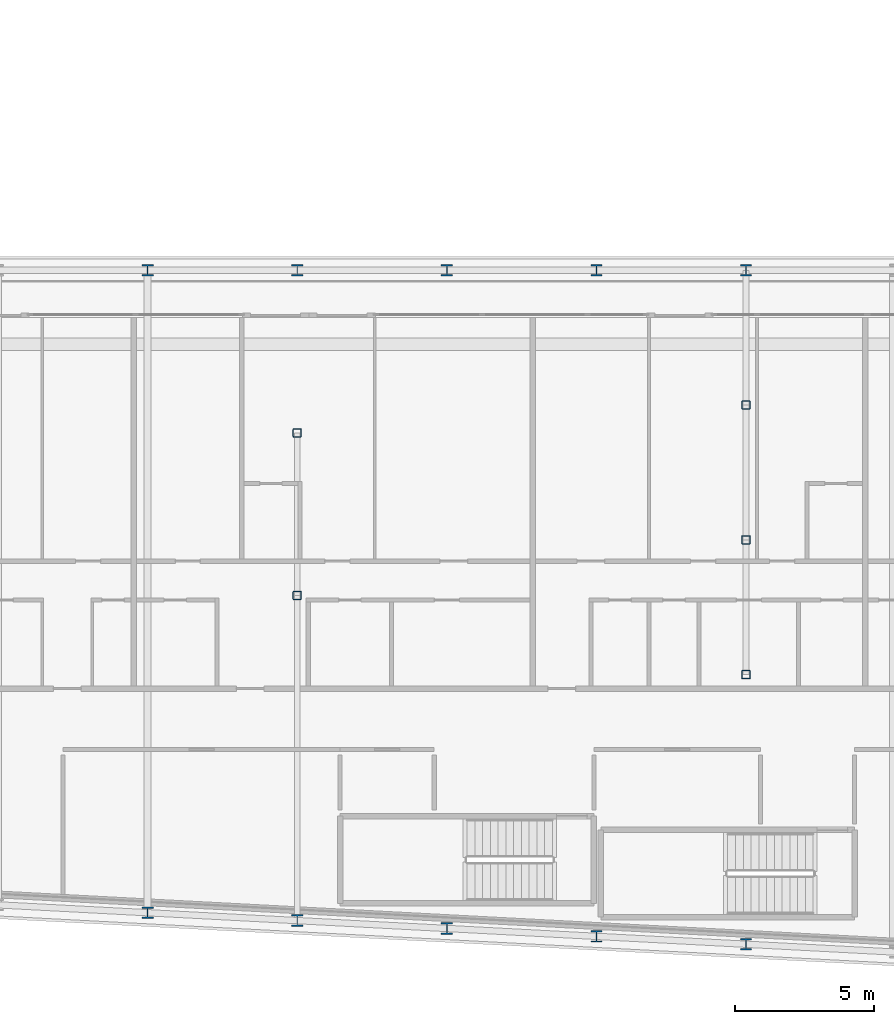
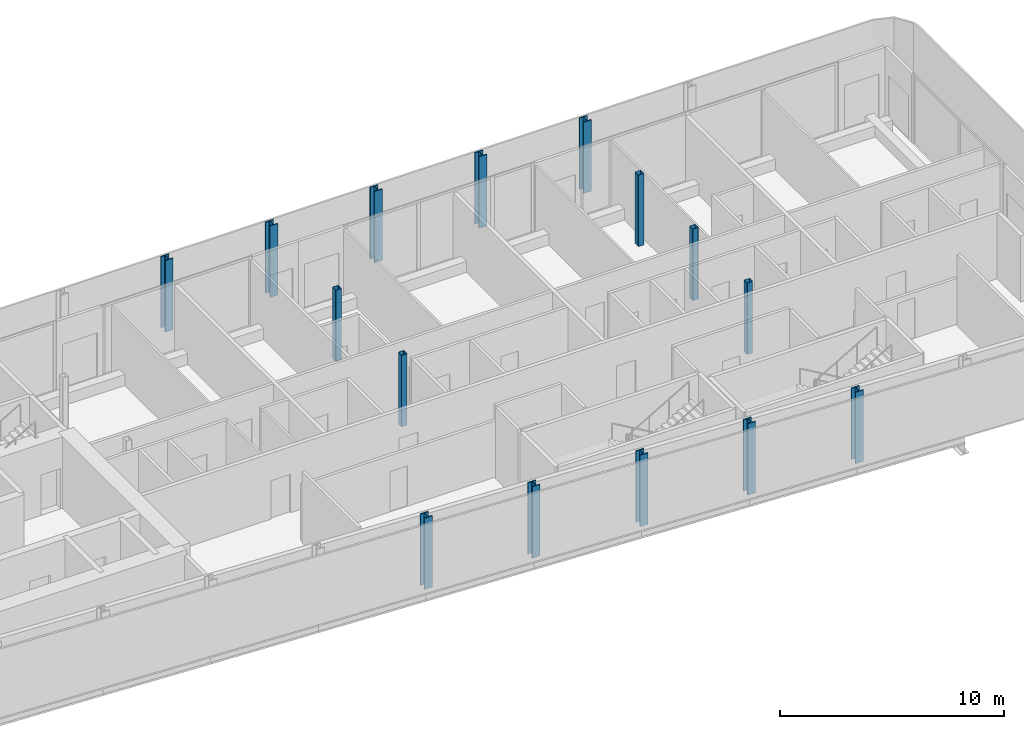
# One storey, part 2 of 29: 15 columns.
"""IFC4 building model written with IfcOpenShell, lengths in metres."""

from ifc_helpers import new_model, si_unit, direction, frame, origin, origin_2d, place, context, subcontext, project, spatial, hollow_rectangle, i_section, extrude, material, material_profile, profile_set, type_object, element, save


model = new_model("IFC4")

# Units and contexts
model_context = context("Model", 3, precision=1e-05, world=origin(), true_north=direction((0.0, 1.0)))
body_context = subcontext(model_context, "Body", "Model", "MODEL_VIEW")
ifc_project = project(units=[si_unit("LENGTHUNIT", "METRE"), si_unit("AREAUNIT", "SQUARE_METRE"), si_unit("VOLUMEUNIT", "CUBIC_METRE"), si_unit("PLANEANGLEUNIT", "RADIAN"), si_unit("MASSUNIT", "GRAM", prefix="KILO")], contexts=[model_context])

# Site, building, storey
site_placement = place(None, origin())
site = spatial("IfcSite", under=ifc_project, at=site_placement, CompositionType="ELEMENT")
building_placement = place(site_placement, origin())
building = spatial("IfcBuilding", under=site, at=building_placement, Name="Kheshtan School and Residences Tower", CompositionType="ELEMENT")
storey_placement = place(building_placement, frame((0.0, 0.0, 176.0)))
storey = spatial("IfcBuildingStorey", under=building, at=storey_placement, Name="L41", CompositionType="ELEMENT", Elevation=176.0)

# Columns
ifc_material_1 = material(Name="Steel ASTM A992 Grade 50", Category="steel")
ifc_material_profile_1 = material_profile(ifc_material_1, i_section(OverallWidth=0.408935546875, OverallDepth=0.425048828125, WebThickness=0.03271484375, FlangeThickness=0.052490234375, FilletRadius=0.0126953125, at=origin_2d()), Name="W360x421")
ifc_profile_set_1 = profile_set([ifc_material_profile_1], Name="Steel ASTM A992 Grade 50")
column_type_1 = type_object("IfcColumnType", Name="Column C3 W360x421 ASTM A992 Grade 50", PredefinedType="COLUMN", material=ifc_profile_set_1)
for number, where, z_axis, x_axis, name in (
    (1, (85.39990234375, 21.27392578125, 0.0), (0.0, 0.0, 1.0), (1.0, 0.0, 0.0), "Column C008"),
    (2, (80.0, 21.55810546875, 0.0), (0.0, 0.0, 1.0), (1.0, 0.0, 0.0), "Column C012"),
    (3, (74.60009765625, 21.843017578125, 0.0), (0.0, 0.0, 1.0), (1.0, 0.0, 0.0), "Column C013"),
    (4, (69.199951171875, 22.126953125, 0.0), (0.0, 0.0, 1.0), (1.0, 0.0, 0.0), "Column C014"),
    (5, (63.800048828125, 22.410888671875, 0.0), (0.0, 0.0, 1.0), (1.0, 0.0, 0.0), "Column C016"),
    (6, (63.800048828125, 45.60009765625, 0.0), (0.0, 0.0, 1.0), (1.0, 0.0, 0.0), "Column C063"),
    (7, (69.199951171875, 45.60009765625, 0.0), (0.0, 0.0, 1.0), (1.0, 0.0, 0.0), "Column C064"),
    (8, (74.60009765625, 45.60009765625, 0.0), (0.0, 0.0, 1.0), (1.0, 0.0, 0.0), "Column C065"),
    (9, (80.0, 45.60009765625, 0.0), (0.0, 0.0, 1.0), (1.0, 0.0, 0.0), "Column C066"),
    (10, (85.39990234375, 45.60009765625, 0.0), (0.0, 0.0, 1.0), (1.0, 0.0, 0.0), "Column C067"),
):
    element("IfcColumn", number, at=place(storey_placement, frame(where, z_axis=z_axis, x_axis=x_axis)), inside=storey, type_object=column_type_1, Name=name, PredefinedType="COLUMN", context=body_context, shape_type="SweptSolid", body=[
        extrude(i_section(OverallWidth=0.408935546875, OverallDepth=0.425048828125, WebThickness=0.03271484375, FlangeThickness=0.052490234375, FilletRadius=0.0126953125, at=origin_2d()), origin(), (0.0, 0.0, 1.0), 3.89990234375),
    ])
ifc_material_2 = material(Name="Steel ASTM A500 Grade C", Category="steel")
ifc_material_profile_2 = material_profile(ifc_material_2, hollow_rectangle(XDim=0.304931640625, YDim=0.304931640625, WallThickness=0.015869140625, InnerFilletRadius=0.015869140625, OuterFilletRadius=0.03173828125, at=origin_2d()), Name="HSS 305x305x15.9")
ifc_profile_set_2 = profile_set([ifc_material_profile_2], Name="Steel ASTM A500 Grade C")
column_type_2 = type_object("IfcColumnType", Name="Column IC2 HSS 305x305x15.9 ASTM A500 Grade C", PredefinedType="COLUMN", material=ifc_profile_set_2)
for number, where, z_axis, x_axis, name in (
    (11, (85.39990234375, 31.0048828125, 0.0), (0.0, 0.0, 1.0), (1.0, 0.0, 0.0), "Column C049"),
    (12, (69.199951171875, 33.863037109375, 0.0), (0.0, 0.0, 1.0), (1.0, 0.0, 0.0), "Column C050"),
    (13, (85.39990234375, 35.8701171875, 0.0), (0.0, 0.0, 1.0), (1.0, 0.0, 0.0), "Column C053"),
    (14, (69.199951171875, 39.73193359375, 0.0), (0.0, 0.0, 1.0), (1.0, 0.0, 0.0), "Column C054"),
    (15, (85.39990234375, 40.735107421875, 0.0), (0.0, 0.0, 1.0), (1.0, 0.0, 0.0), "Column C057"),
):
    element("IfcColumn", number, at=place(storey_placement, frame(where, z_axis=z_axis, x_axis=x_axis)), inside=storey, type_object=column_type_2, Name=name, PredefinedType="COLUMN", context=body_context, shape_type="SweptSolid", body=[
        extrude(hollow_rectangle(XDim=0.304931640625, YDim=0.304931640625, WallThickness=0.015869140625, InnerFilletRadius=0.015869140625, OuterFilletRadius=0.03173828125, at=origin_2d()), origin(), (0.0, 0.0, 1.0), 3.89990234375),
    ])

save(model, "model.ifc")
